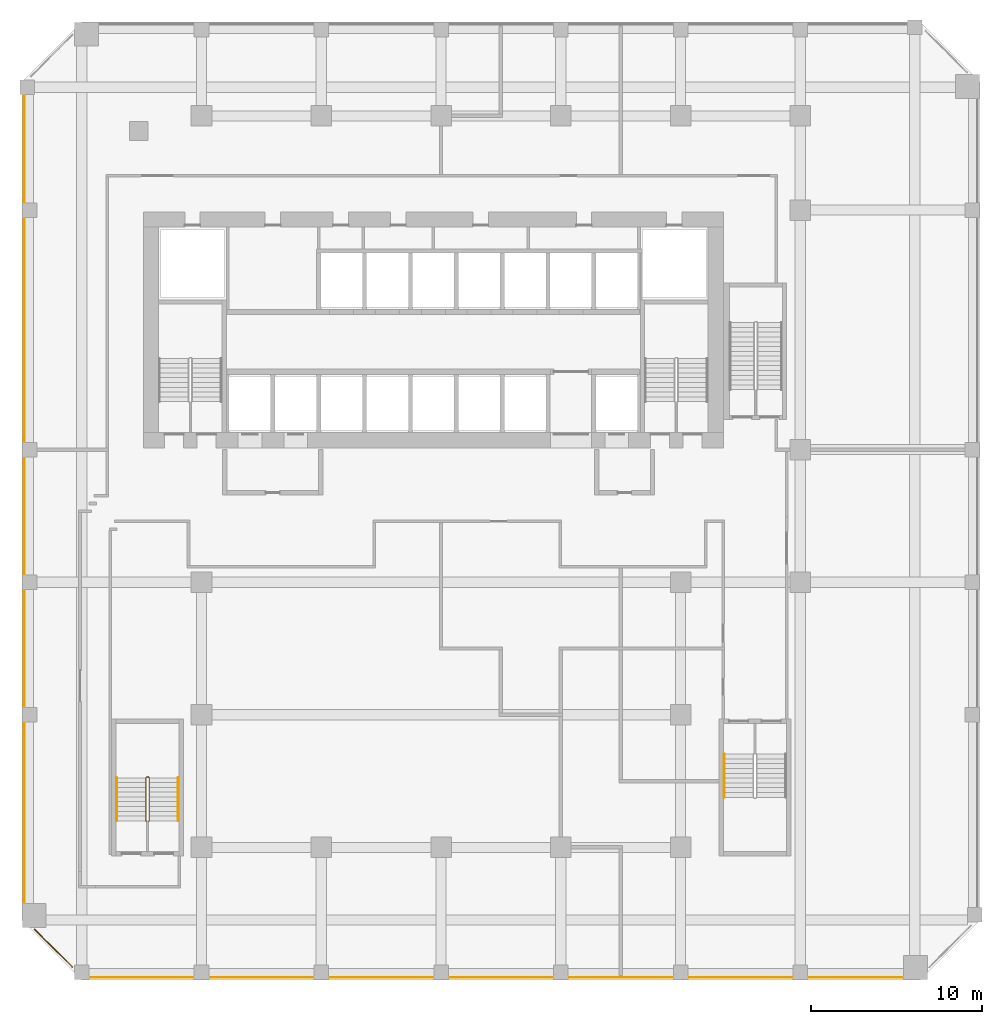
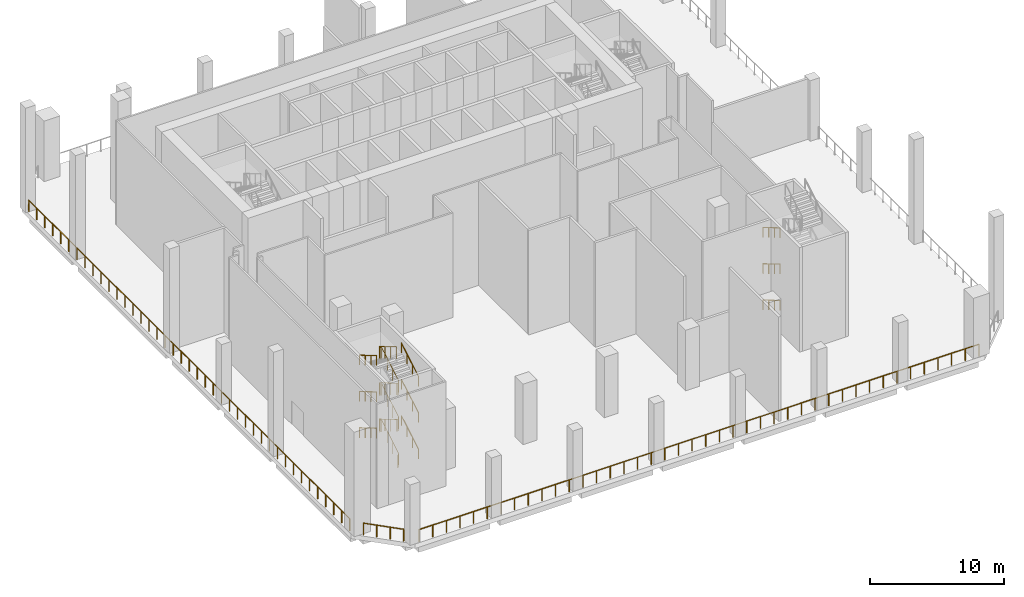
# One storey, part 9 of 12: 13 railings.
"""IFC4 building model written with IfcOpenShell, lengths in metres."""

from ifc_helpers import new_model, si_unit, direction, frame, origin, origin_2d, place, context, subcontext, project, spatial, circle, extrude, material, type_object, element, save


model = new_model("IFC4")

# Units and contexts
model_context = context("Model", 3, precision=1e-05, world=origin(), true_north=direction((0.0, 1.0)))
body_context = subcontext(model_context, "Body", "Model", "MODEL_VIEW")
ifc_project = project(units=[si_unit("LENGTHUNIT", "METRE"), si_unit("AREAUNIT", "SQUARE_METRE"), si_unit("VOLUMEUNIT", "CUBIC_METRE"), si_unit("PLANEANGLEUNIT", "RADIAN"), si_unit("MASSUNIT", "GRAM", prefix="KILO")], contexts=[model_context])

# Site, building, storey
site_placement = place(None, origin())
site = spatial("IfcSite", under=ifc_project, at=site_placement, CompositionType="ELEMENT")
building_placement = place(site_placement, origin())
building = spatial("IfcBuilding", under=site, at=building_placement, Name="Kilnfold Tower and Market Hall", CompositionType="ELEMENT")
storey_placement = place(building_placement, frame((0.0, 0.0, 128.60009765625)))
storey = spatial("IfcBuildingStorey", under=building, at=storey_placement, Name="L30 Refuge Wind Floor", CompositionType="ELEMENT", Elevation=128.60009765625)

# Railings
ifc_material_1 = material(Name="Stainless steel 316", Category="steel")
railing_type_1 = type_object("IfcRailingType", Name="CORE STAIR GUARD 1100", PredefinedType="GUARDRAIL", material=ifc_material_1)
railing_1_placement = place(storey_placement, frame((-15.699951171875, -13.75, 0.0)))
element("IfcRailing", 1, at=railing_1_placement, inside=storey, type_object=railing_type_1, Name="L30 Refuge Wind Floor ST3 stair guard 1", PredefinedType="GUARDRAIL", context=body_context, shape_type="SweptSolid", body=[
    extrude(circle(Radius=0.02392578125, at=origin_2d()), frame((0.0, 0.0, 1.076171875), z_axis=(1.0, 0.0, 0.0), x_axis=(0.0, 1.0, 0.0)), (0.0, 0.0, 1.0), 0.099853515625),
    extrude(circle(Radius=0.02392578125, at=origin_2d()), frame((0.099853515625, 0.0, 1.076171875), z_axis=(0.279053652268, 0.279053652268, 0.918835196492), x_axis=(-0.707106781187, 0.707106781187, 0.0)), (0.0, 0.0, 1.0), 0.179443359375),
    extrude(circle(Radius=0.02392578125, at=origin_2d()), frame((0.14990234375, 0.050048828125, 1.24072265625), z_axis=(0.0, 0.86152411907, 0.507716645641), x_axis=(-1.0, 0.0, 0.0)), (0.0, 0.0, 1.0), 2.925048828125),
    extrude(circle(Radius=0.02392578125, at=origin_2d()), frame((0.14990234375, 2.570068359375, 2.72607421875), z_axis=(-0.707106781187, 0.707106781187, 0.0), x_axis=(-0.707106781187, -0.707106781187, 0.0)), (0.0, 0.0, 1.0), 0.07080078125),
    extrude(circle(Radius=0.02392578125, at=origin_2d()), frame((0.099853515625, 2.6201171875, 2.72607421875), z_axis=(-1.0, 0.0, 0.0), x_axis=(0.0, -1.0, 0.0)), (0.0, 0.0, 1.0), 0.099853515625),
    extrude(circle(Radius=0.02392578125, at=origin_2d()), frame((0.0, 2.6201171875, 2.72607421875), z_axis=(-0.278705021027, -0.278705021027, 0.919046801044), x_axis=(0.707106781187, -0.707106781187, 0.0)), (0.0, 0.0, 1.0), 0.1796875),
    extrude(circle(Radius=0.02392578125, at=origin_2d()), frame((-0.050048828125, 2.570068359375, 2.89111328125), z_axis=(0.0, -0.861560626758, 0.507654692109), x_axis=(1.0, 0.0, 0.0)), (0.0, 0.0, 1.0), 2.925048828125),
    extrude(circle(Radius=0.02392578125, at=origin_2d()), frame((-0.050048828125, 0.050048828125, 4.3759765625), z_axis=(0.707106781187, -0.707106781187, 0.0), x_axis=(0.707106781187, 0.707106781187, 0.0)), (0.0, 0.0, 1.0), 0.07080078125),
    extrude(circle(Radius=0.02392578125, at=origin_2d()), frame((0.0, 0.0, 4.3759765625), z_axis=(1.0, 0.0, 0.0), x_axis=(0.0, 1.0, 0.0)), (0.0, 0.0, 1.0), 0.099853515625),
    extrude(circle(Radius=0.02392578125, at=origin_2d()), frame((0.099853515625, 0.0, 4.3759765625), z_axis=(0.278705021027, 0.278705021027, 0.919046801044), x_axis=(-0.707106781187, 0.707106781187, 0.0)), (0.0, 0.0, 1.0), 0.1796875),
    extrude(circle(Radius=0.02392578125, at=origin_2d()), frame((0.14990234375, 0.050048828125, 4.541015625), z_axis=(0.0, 0.86152411907, 0.507716645641), x_axis=(-1.0, 0.0, 0.0)), (0.0, 0.0, 1.0), 2.925048828125),
    extrude(circle(Radius=0.02392578125, at=origin_2d()), frame((0.14990234375, 2.570068359375, 6.02587890625), z_axis=(-0.707106781187, 0.707106781187, 0.0), x_axis=(-0.707106781187, -0.707106781187, 0.0)), (0.0, 0.0, 1.0), 0.07080078125),
    extrude(circle(Radius=0.02392578125, at=origin_2d()), frame((0.099853515625, 2.6201171875, 6.02587890625), z_axis=(-1.0, 0.0, 0.0), x_axis=(0.0, -1.0, 0.0)), (0.0, 0.0, 1.0), 0.099853515625),
    extrude(circle(Radius=0.02392578125, at=origin_2d()), frame((0.0, 2.6201171875, 6.02587890625), z_axis=(-0.278705021027, -0.278705021027, 0.919046801044), x_axis=(0.707106781187, -0.707106781187, 0.0)), (0.0, 0.0, 1.0), 0.1796875),
    extrude(circle(Radius=0.02392578125, at=origin_2d()), frame((-0.050048828125, 2.570068359375, 6.19091796875), z_axis=(0.0, -0.861560626758, 0.507654692109), x_axis=(1.0, 0.0, 0.0)), (0.0, 0.0, 1.0), 2.925048828125),
    extrude(circle(Radius=0.02392578125, at=origin_2d()), frame((-0.050048828125, 0.050048828125, 7.67578125), z_axis=(0.707106781187, -0.707106781187, 0.0), x_axis=(0.707106781187, 0.707106781187, 0.0)), (0.0, 0.0, 1.0), 0.07080078125),
    extrude(circle(Radius=0.02392578125, at=origin_2d()), frame((0.0, 0.0, 7.67578125), z_axis=(1.0, 0.0, 0.0), x_axis=(0.0, 1.0, 0.0)), (0.0, 0.0, 1.0), 0.099853515625),
    extrude(circle(Radius=0.02392578125, at=origin_2d()), frame((0.099853515625, 0.0, 7.67578125), z_axis=(0.278705021027, 0.278705021027, 0.919046801044), x_axis=(-0.707106781187, 0.707106781187, 0.0)), (0.0, 0.0, 1.0), 0.1796875),
    extrude(circle(Radius=0.02392578125, at=origin_2d()), frame((0.14990234375, 0.050048828125, 7.8408203125), z_axis=(0.0, 0.86152411907, 0.507716645641), x_axis=(-1.0, 0.0, 0.0)), (0.0, 0.0, 1.0), 2.925048828125),
    extrude(circle(Radius=0.02392578125, at=origin_2d()), frame((0.14990234375, 2.570068359375, 9.326171875), z_axis=(-0.707106781187, 0.707106781187, 0.0), x_axis=(-0.707106781187, -0.707106781187, 0.0)), (0.0, 0.0, 1.0), 0.07080078125),
    extrude(circle(Radius=0.02392578125, at=origin_2d()), frame((0.099853515625, 2.6201171875, 9.326171875), z_axis=(-1.0, 0.0, 0.0), x_axis=(0.0, -1.0, 0.0)), (0.0, 0.0, 1.0), 0.099853515625),
    extrude(circle(Radius=0.02392578125, at=origin_2d()), frame((0.0, 2.6201171875, 9.326171875), z_axis=(-0.279053652268, -0.279053652268, 0.918835196492), x_axis=(0.707106781187, -0.707106781187, 0.0)), (0.0, 0.0, 1.0), 0.179443359375),
    extrude(circle(Radius=0.02392578125, at=origin_2d()), frame((-0.050048828125, 2.570068359375, 9.49072265625), z_axis=(0.0, -0.86152411907, 0.507716645641), x_axis=(1.0, 0.0, 0.0)), (0.0, 0.0, 1.0), 2.925048828125),
    extrude(circle(Radius=0.02099609375, at=origin_2d()), origin(), (0.0, 0.0, 1.0), 1.052001953125),
    extrude(circle(Radius=0.02099609375, at=origin_2d()), frame((0.099853515625, 0.0, 0.0)), (0.0, 0.0, 1.0), 1.052001953125),
    extrude(circle(Radius=0.02099609375, at=origin_2d()), frame((0.14990234375, 0.050048828125, 0.164794921875)), (0.0, 0.0, 1.0), 1.052001953125),
    extrude(circle(Radius=0.02099609375, at=origin_2d()), frame((0.14990234375, 0.89013671875, 0.659912109375)), (0.0, 0.0, 1.0), 1.052001953125),
    extrude(circle(Radius=0.02099609375, at=origin_2d()), frame((0.14990234375, 1.72998046875, 1.15478515625)), (0.0, 0.0, 1.0), 1.052001953125),
    extrude(circle(Radius=0.02099609375, at=origin_2d()), frame((0.14990234375, 2.570068359375, 1.64990234375)), (0.0, 0.0, 1.0), 1.052001953125),
    extrude(circle(Radius=0.02099609375, at=origin_2d()), frame((0.099853515625, 2.6201171875, 1.64990234375)), (0.0, 0.0, 1.0), 1.052001953125),
    extrude(circle(Radius=0.02099609375, at=origin_2d()), frame((0.0, 2.6201171875, 1.64990234375)), (0.0, 0.0, 1.0), 1.052001953125),
    extrude(circle(Radius=0.02099609375, at=origin_2d()), frame((-0.050048828125, 2.570068359375, 1.81494140625)), (0.0, 0.0, 1.0), 1.052001953125),
    extrude(circle(Radius=0.02099609375, at=origin_2d()), frame((-0.050048828125, 1.72998046875, 2.309814453125)), (0.0, 0.0, 1.0), 1.052001953125),
    extrude(circle(Radius=0.02099609375, at=origin_2d()), frame((-0.050048828125, 0.89013671875, 2.804931640625)), (0.0, 0.0, 1.0), 1.052001953125),
    extrude(circle(Radius=0.02099609375, at=origin_2d()), frame((-0.050048828125, 0.050048828125, 3.2998046875)), (0.0, 0.0, 1.0), 1.052001953125),
    extrude(circle(Radius=0.02099609375, at=origin_2d()), frame((0.0, 0.0, 3.2998046875)), (0.0, 0.0, 1.0), 1.052001953125),
    extrude(circle(Radius=0.02099609375, at=origin_2d()), frame((0.099853515625, 0.0, 3.2998046875)), (0.0, 0.0, 1.0), 1.052001953125),
    extrude(circle(Radius=0.02099609375, at=origin_2d()), frame((0.14990234375, 0.050048828125, 3.46484375)), (0.0, 0.0, 1.0), 1.052001953125),
    extrude(circle(Radius=0.02099609375, at=origin_2d()), frame((0.14990234375, 0.89013671875, 3.9599609375)), (0.0, 0.0, 1.0), 1.052001953125),
    extrude(circle(Radius=0.02099609375, at=origin_2d()), frame((0.14990234375, 1.72998046875, 4.454833984375)), (0.0, 0.0, 1.0), 1.052001953125),
    extrude(circle(Radius=0.02099609375, at=origin_2d()), frame((0.14990234375, 2.570068359375, 4.949951171875)), (0.0, 0.0, 1.0), 1.052001953125),
    extrude(circle(Radius=0.02099609375, at=origin_2d()), frame((0.099853515625, 2.6201171875, 4.949951171875)), (0.0, 0.0, 1.0), 1.052001953125),
    extrude(circle(Radius=0.02099609375, at=origin_2d()), frame((0.0, 2.6201171875, 4.949951171875)), (0.0, 0.0, 1.0), 1.052001953125),
    extrude(circle(Radius=0.02099609375, at=origin_2d()), frame((-0.050048828125, 2.570068359375, 5.114990234375)), (0.0, 0.0, 1.0), 1.052001953125),
    extrude(circle(Radius=0.02099609375, at=origin_2d()), frame((-0.050048828125, 1.72998046875, 5.60986328125)), (0.0, 0.0, 1.0), 1.052001953125),
    extrude(circle(Radius=0.02099609375, at=origin_2d()), frame((-0.050048828125, 0.89013671875, 6.10498046875)), (0.0, 0.0, 1.0), 1.052001953125),
    extrude(circle(Radius=0.02099609375, at=origin_2d()), frame((-0.050048828125, 0.050048828125, 6.599853515625)), (0.0, 0.0, 1.0), 1.052001953125),
    extrude(circle(Radius=0.02099609375, at=origin_2d()), frame((0.0, 0.0, 6.599853515625)), (0.0, 0.0, 1.0), 1.052001953125),
    extrude(circle(Radius=0.02099609375, at=origin_2d()), frame((0.099853515625, 0.0, 6.599853515625)), (0.0, 0.0, 1.0), 1.052001953125),
    extrude(circle(Radius=0.02099609375, at=origin_2d()), frame((0.14990234375, 0.050048828125, 6.764892578125)), (0.0, 0.0, 1.0), 1.052001953125),
    extrude(circle(Radius=0.02099609375, at=origin_2d()), frame((0.14990234375, 0.89013671875, 7.260009765625)), (0.0, 0.0, 1.0), 1.052001953125),
    extrude(circle(Radius=0.02099609375, at=origin_2d()), frame((0.14990234375, 1.72998046875, 7.7548828125)), (0.0, 0.0, 1.0), 1.052001953125),
    extrude(circle(Radius=0.02099609375, at=origin_2d()), frame((0.14990234375, 2.570068359375, 8.25)), (0.0, 0.0, 1.0), 1.052001953125),
    extrude(circle(Radius=0.02099609375, at=origin_2d()), frame((0.099853515625, 2.6201171875, 8.25)), (0.0, 0.0, 1.0), 1.052001953125),
    extrude(circle(Radius=0.02099609375, at=origin_2d()), frame((0.0, 2.6201171875, 8.25)), (0.0, 0.0, 1.0), 1.052001953125),
    extrude(circle(Radius=0.02099609375, at=origin_2d()), frame((-0.050048828125, 2.570068359375, 8.414794921875)), (0.0, 0.0, 1.0), 1.052001953125),
    extrude(circle(Radius=0.02099609375, at=origin_2d()), frame((-0.050048828125, 1.72998046875, 8.909912109375)), (0.0, 0.0, 1.0), 1.052001953125),
    extrude(circle(Radius=0.02099609375, at=origin_2d()), frame((-0.050048828125, 0.89013671875, 9.40478515625)), (0.0, 0.0, 1.0), 1.052001953125),
    extrude(circle(Radius=0.02099609375, at=origin_2d()), frame((-0.050048828125, 0.050048828125, 9.89990234375)), (0.0, 0.0, 1.0), 1.052001953125),
])
ifc_material_2 = material(Name="Stainless steel 316", Category="steel")
railing_type_2 = type_object("IfcRailingType", Name="CORE STAIR HANDRAIL 900", PredefinedType="HANDRAIL", material=ifc_material_2)
railing_2_placement = place(storey_placement, frame((-13.85009765625, -13.699951171875, 0.164794921875)))
element("IfcRailing", 2, at=railing_2_placement, inside=storey, type_object=railing_type_2, Name="L30 Refuge Wind Floor ST3 stair handrail 1", PredefinedType="HANDRAIL", context=body_context, shape_type="SweptSolid", body=[
    extrude(circle(Radius=0.02392578125, at=origin_2d()), frame((0.0, 0.0, 0.8759765625), z_axis=(0.0, 0.86152411907, 0.507716645641), x_axis=(-1.0, 0.0, 0.0)), (0.0, 0.0, 1.0), 2.925048828125),
    extrude(circle(Radius=0.02099609375, at=origin_2d()), origin(), (0.0, 0.0, 1.0), 0.851806640625),
    extrude(circle(Radius=0.02099609375, at=origin_2d()), frame((0.0, 0.840087890625, 0.4951171875)), (0.0, 0.0, 1.0), 0.851806640625),
    extrude(circle(Radius=0.02099609375, at=origin_2d()), frame((0.0, 1.679931640625, 0.989990234375)), (0.0, 0.0, 1.0), 0.851806640625),
    extrude(circle(Radius=0.02099609375, at=origin_2d()), frame((0.0, 2.52001953125, 1.485107421875)), (0.0, 0.0, 1.0), 0.851806640625),
])
railing_3_placement = place(storey_placement, frame((-17.449951171875, -11.179931640625, 1.81494140625)))
element("IfcRailing", 3, at=railing_3_placement, inside=storey, type_object=railing_type_2, Name="L30 Refuge Wind Floor ST3 stair handrail 2", PredefinedType="HANDRAIL", context=body_context, shape_type="SweptSolid", body=[
    extrude(circle(Radius=0.02392578125, at=origin_2d()), frame((0.0, 0.0, 0.8759765625), z_axis=(0.0, -0.861560626758, 0.507654692109), x_axis=(1.0, 0.0, 0.0)), (0.0, 0.0, 1.0), 2.925048828125),
    extrude(circle(Radius=0.02099609375, at=origin_2d()), origin(), (0.0, 0.0, 1.0), 0.851806640625),
    extrude(circle(Radius=0.02099609375, at=origin_2d()), frame((0.0, -0.840087890625, 0.494873046875)), (0.0, 0.0, 1.0), 0.851806640625),
    extrude(circle(Radius=0.02099609375, at=origin_2d()), frame((0.0, -1.679931640625, 0.989990234375)), (0.0, 0.0, 1.0), 0.851806640625),
    extrude(circle(Radius=0.02099609375, at=origin_2d()), frame((0.0, -2.52001953125, 1.48486328125)), (0.0, 0.0, 1.0), 0.851806640625),
])
railing_4_placement = place(storey_placement, frame((-13.85009765625, -13.699951171875, 3.46484375)))
element("IfcRailing", 4, at=railing_4_placement, inside=storey, type_object=railing_type_2, Name="L30 Refuge Wind Floor ST3 stair handrail 3", PredefinedType="HANDRAIL", context=body_context, shape_type="SweptSolid", body=[
    extrude(circle(Radius=0.02392578125, at=origin_2d()), frame((0.0, 0.0, 0.8759765625), z_axis=(0.0, 0.86152411907, 0.507716645641), x_axis=(-1.0, 0.0, 0.0)), (0.0, 0.0, 1.0), 2.925048828125),
    extrude(circle(Radius=0.02099609375, at=origin_2d()), origin(), (0.0, 0.0, 1.0), 0.851806640625),
    extrude(circle(Radius=0.02099609375, at=origin_2d()), frame((0.0, 0.840087890625, 0.4951171875)), (0.0, 0.0, 1.0), 0.851806640625),
    extrude(circle(Radius=0.02099609375, at=origin_2d()), frame((0.0, 1.679931640625, 0.989990234375)), (0.0, 0.0, 1.0), 0.851806640625),
    extrude(circle(Radius=0.02099609375, at=origin_2d()), frame((0.0, 2.52001953125, 1.485107421875)), (0.0, 0.0, 1.0), 0.851806640625),
])
railing_5_placement = place(storey_placement, frame((-17.449951171875, -11.179931640625, 5.114990234375)))
element("IfcRailing", 5, at=railing_5_placement, inside=storey, type_object=railing_type_2, Name="L30 Refuge Wind Floor ST3 stair handrail 4", PredefinedType="HANDRAIL", context=body_context, shape_type="SweptSolid", body=[
    extrude(circle(Radius=0.02392578125, at=origin_2d()), frame((0.0, 0.0, 0.8759765625), z_axis=(0.0, -0.861560626758, 0.507654692109), x_axis=(1.0, 0.0, 0.0)), (0.0, 0.0, 1.0), 2.925048828125),
    extrude(circle(Radius=0.02099609375, at=origin_2d()), origin(), (0.0, 0.0, 1.0), 0.851806640625),
    extrude(circle(Radius=0.02099609375, at=origin_2d()), frame((0.0, -0.840087890625, 0.494873046875)), (0.0, 0.0, 1.0), 0.851806640625),
    extrude(circle(Radius=0.02099609375, at=origin_2d()), frame((0.0, -1.679931640625, 0.989990234375)), (0.0, 0.0, 1.0), 0.851806640625),
    extrude(circle(Radius=0.02099609375, at=origin_2d()), frame((0.0, -2.52001953125, 1.48486328125)), (0.0, 0.0, 1.0), 0.851806640625),
])
railing_6_placement = place(storey_placement, frame((-13.85009765625, -13.699951171875, 6.764892578125)))
element("IfcRailing", 6, at=railing_6_placement, inside=storey, type_object=railing_type_2, Name="L30 Refuge Wind Floor ST3 stair handrail 5", PredefinedType="HANDRAIL", context=body_context, shape_type="SweptSolid", body=[
    extrude(circle(Radius=0.02392578125, at=origin_2d()), frame((0.0, 0.0, 0.8759765625), z_axis=(0.0, 0.86152411907, 0.507716645641), x_axis=(-1.0, 0.0, 0.0)), (0.0, 0.0, 1.0), 2.925048828125),
    extrude(circle(Radius=0.02099609375, at=origin_2d()), origin(), (0.0, 0.0, 1.0), 0.851806640625),
    extrude(circle(Radius=0.02099609375, at=origin_2d()), frame((0.0, 0.840087890625, 0.4951171875)), (0.0, 0.0, 1.0), 0.851806640625),
    extrude(circle(Radius=0.02099609375, at=origin_2d()), frame((0.0, 1.679931640625, 0.989990234375)), (0.0, 0.0, 1.0), 0.851806640625),
    extrude(circle(Radius=0.02099609375, at=origin_2d()), frame((0.0, 2.52001953125, 1.485107421875)), (0.0, 0.0, 1.0), 0.851806640625),
])
for number, where, name in (
    (7, (-17.449951171875, -11.179931640625, 8.414794921875), "L30 Refuge Wind Floor ST3 stair handrail 6"),
    (8, (18.050048828125, -9.800048828125, 0.164794921875), "L30 Refuge Wind Floor ST4 stair handrail 1"),
    (9, (18.050048828125, -9.800048828125, 3.46484375), "L30 Refuge Wind Floor ST4 stair handrail 3"),
    (10, (18.050048828125, -9.800048828125, 6.764892578125), "L30 Refuge Wind Floor ST4 stair handrail 5"),
):
    element("IfcRailing", number, at=place(storey_placement, frame(where)), inside=storey, type_object=railing_type_2, Name=name, PredefinedType="HANDRAIL", context=body_context, shape_type="SweptSolid", body=[
        extrude(circle(Radius=0.02392578125, at=origin_2d()), frame((0.0, 0.0, 0.8759765625), z_axis=(0.0, -0.86152411907, 0.507716645641), x_axis=(1.0, 0.0, 0.0)), (0.0, 0.0, 1.0), 2.925048828125),
        extrude(circle(Radius=0.02099609375, at=origin_2d()), origin(), (0.0, 0.0, 1.0), 0.851806640625),
        extrude(circle(Radius=0.02099609375, at=origin_2d()), frame((0.0, -0.840087890625, 0.4951171875)), (0.0, 0.0, 1.0), 0.851806640625),
        extrude(circle(Radius=0.02099609375, at=origin_2d()), frame((0.0, -1.679931640625, 0.989990234375)), (0.0, 0.0, 1.0), 0.851806640625),
        extrude(circle(Radius=0.02099609375, at=origin_2d()), frame((0.0, -2.52001953125, 1.485107421875)), (0.0, 0.0, 1.0), 0.851806640625),
    ])
ifc_material_3 = material(Name="Stainless steel and laminated glass", Category="steel")
railing_type_3 = type_object("IfcRailingType", Name="GUARD 1100", PredefinedType="GUARDRAIL", material=ifc_material_3)
railing_7_placement = place(storey_placement, frame((-19.074951171875, -22.85009765625, 0.0)))
element("IfcRailing", 11, at=railing_7_placement, inside=storey, type_object=railing_type_3, Name="Guard edge S L30", PredefinedType="GUARDRAIL", context=body_context, shape_type="SweptSolid", body=[
    extrude(circle(Radius=0.02490234375, at=origin_2d()), frame((0.0, 0.0, 1.0751953125), z_axis=(1.0, 0.0, 0.0), x_axis=(0.0, 1.0, 0.0)), (0.0, 0.0, 1.0), 48.14990234375),
    extrude(circle(Radius=0.02490234375, at=origin_2d()), origin(), (0.0, 0.0, 1.0), 1.050048828125),
    extrude(circle(Radius=0.02490234375, at=origin_2d()), frame((1.17431640625, 0.0, 0.0)), (0.0, 0.0, 1.0), 1.050048828125),
    extrude(circle(Radius=0.02490234375, at=origin_2d()), frame((2.348876953125, 0.0, 0.0)), (0.0, 0.0, 1.0), 1.050048828125),
    extrude(circle(Radius=0.02490234375, at=origin_2d()), frame((3.523193359375, 0.0, 0.0)), (0.0, 0.0, 1.0), 1.050048828125),
    extrude(circle(Radius=0.02490234375, at=origin_2d()), frame((4.697509765625, 0.0, 0.0)), (0.0, 0.0, 1.0), 1.050048828125),
    extrude(circle(Radius=0.02490234375, at=origin_2d()), frame((5.871826171875, 0.0, 0.0)), (0.0, 0.0, 1.0), 1.050048828125),
    extrude(circle(Radius=0.02490234375, at=origin_2d()), frame((7.04638671875, 0.0, 0.0)), (0.0, 0.0, 1.0), 1.050048828125),
    extrude(circle(Radius=0.02490234375, at=origin_2d()), frame((8.220703125, 0.0, 0.0)), (0.0, 0.0, 1.0), 1.050048828125),
    extrude(circle(Radius=0.02490234375, at=origin_2d()), frame((9.39501953125, 0.0, 0.0)), (0.0, 0.0, 1.0), 1.050048828125),
    extrude(circle(Radius=0.02490234375, at=origin_2d()), frame((10.569580078125, 0.0, 0.0)), (0.0, 0.0, 1.0), 1.050048828125),
    extrude(circle(Radius=0.02490234375, at=origin_2d()), frame((11.743896484375, 0.0, 0.0)), (0.0, 0.0, 1.0), 1.050048828125),
    extrude(circle(Radius=0.02490234375, at=origin_2d()), frame((12.918212890625, 0.0, 0.0)), (0.0, 0.0, 1.0), 1.050048828125),
    extrude(circle(Radius=0.02490234375, at=origin_2d()), frame((14.0927734375, 0.0, 0.0)), (0.0, 0.0, 1.0), 1.050048828125),
    extrude(circle(Radius=0.02490234375, at=origin_2d()), frame((15.26708984375, 0.0, 0.0)), (0.0, 0.0, 1.0), 1.050048828125),
    extrude(circle(Radius=0.02490234375, at=origin_2d()), frame((16.44140625, 0.0, 0.0)), (0.0, 0.0, 1.0), 1.050048828125),
    extrude(circle(Radius=0.02490234375, at=origin_2d()), frame((17.61572265625, 0.0, 0.0)), (0.0, 0.0, 1.0), 1.050048828125),
    extrude(circle(Radius=0.02490234375, at=origin_2d()), frame((18.790283203125, 0.0, 0.0)), (0.0, 0.0, 1.0), 1.050048828125),
    extrude(circle(Radius=0.02490234375, at=origin_2d()), frame((19.964599609375, 0.0, 0.0)), (0.0, 0.0, 1.0), 1.050048828125),
    extrude(circle(Radius=0.02490234375, at=origin_2d()), frame((21.138916015625, 0.0, 0.0)), (0.0, 0.0, 1.0), 1.050048828125),
    extrude(circle(Radius=0.02490234375, at=origin_2d()), frame((22.3134765625, 0.0, 0.0)), (0.0, 0.0, 1.0), 1.050048828125),
    extrude(circle(Radius=0.02490234375, at=origin_2d()), frame((23.48779296875, 0.0, 0.0)), (0.0, 0.0, 1.0), 1.050048828125),
    extrude(circle(Radius=0.02490234375, at=origin_2d()), frame((24.662109375, 0.0, 0.0)), (0.0, 0.0, 1.0), 1.050048828125),
    extrude(circle(Radius=0.02490234375, at=origin_2d()), frame((25.83642578125, 0.0, 0.0)), (0.0, 0.0, 1.0), 1.050048828125),
    extrude(circle(Radius=0.02490234375, at=origin_2d()), frame((27.010986328125, 0.0, 0.0)), (0.0, 0.0, 1.0), 1.050048828125),
    extrude(circle(Radius=0.02490234375, at=origin_2d()), frame((28.185302734375, 0.0, 0.0)), (0.0, 0.0, 1.0), 1.050048828125),
    extrude(circle(Radius=0.02490234375, at=origin_2d()), frame((29.359619140625, 0.0, 0.0)), (0.0, 0.0, 1.0), 1.050048828125),
    extrude(circle(Radius=0.02490234375, at=origin_2d()), frame((30.5341796875, 0.0, 0.0)), (0.0, 0.0, 1.0), 1.050048828125),
    extrude(circle(Radius=0.02490234375, at=origin_2d()), frame((31.70849609375, 0.0, 0.0)), (0.0, 0.0, 1.0), 1.050048828125),
    extrude(circle(Radius=0.02490234375, at=origin_2d()), frame((32.8828125, 0.0, 0.0)), (0.0, 0.0, 1.0), 1.050048828125),
    extrude(circle(Radius=0.02490234375, at=origin_2d()), frame((34.05712890625, 0.0, 0.0)), (0.0, 0.0, 1.0), 1.050048828125),
    extrude(circle(Radius=0.02490234375, at=origin_2d()), frame((35.231689453125, 0.0, 0.0)), (0.0, 0.0, 1.0), 1.050048828125),
    extrude(circle(Radius=0.02490234375, at=origin_2d()), frame((36.406005859375, 0.0, 0.0)), (0.0, 0.0, 1.0), 1.050048828125),
    extrude(circle(Radius=0.02490234375, at=origin_2d()), frame((37.580322265625, 0.0, 0.0)), (0.0, 0.0, 1.0), 1.050048828125),
    extrude(circle(Radius=0.02490234375, at=origin_2d()), frame((38.7548828125, 0.0, 0.0)), (0.0, 0.0, 1.0), 1.050048828125),
    extrude(circle(Radius=0.02490234375, at=origin_2d()), frame((39.92919921875, 0.0, 0.0)), (0.0, 0.0, 1.0), 1.050048828125),
    extrude(circle(Radius=0.02490234375, at=origin_2d()), frame((41.103515625, 0.0, 0.0)), (0.0, 0.0, 1.0), 1.050048828125),
    extrude(circle(Radius=0.02490234375, at=origin_2d()), frame((42.278076171875, 0.0, 0.0)), (0.0, 0.0, 1.0), 1.050048828125),
    extrude(circle(Radius=0.02490234375, at=origin_2d()), frame((43.452392578125, 0.0, 0.0)), (0.0, 0.0, 1.0), 1.050048828125),
    extrude(circle(Radius=0.02490234375, at=origin_2d()), frame((44.626708984375, 0.0, 0.0)), (0.0, 0.0, 1.0), 1.050048828125),
    extrude(circle(Radius=0.02490234375, at=origin_2d()), frame((45.801025390625, 0.0, 0.0)), (0.0, 0.0, 1.0), 1.050048828125),
    extrude(circle(Radius=0.02490234375, at=origin_2d()), frame((46.9755859375, 0.0, 0.0)), (0.0, 0.0, 1.0), 1.050048828125),
    extrude(circle(Radius=0.02490234375, at=origin_2d()), frame((48.14990234375, 0.0, 0.0)), (0.0, 0.0, 1.0), 1.050048828125),
])
railing_8_placement = place(storey_placement, frame((-22.85009765625, 28.7568359375, 0.0)))
element("IfcRailing", 12, at=railing_8_placement, inside=storey, type_object=railing_type_3, Name="Guard edge W L30", PredefinedType="GUARDRAIL", context=body_context, shape_type="SweptSolid", body=[
    extrude(circle(Radius=0.02490234375, at=origin_2d()), frame((0.0, 0.0, 1.0751953125), z_axis=(0.0, -1.0, 0.0), x_axis=(1.0, 0.0, 0.0)), (0.0, 0.0, 1.0), 47.831787109375),
    extrude(circle(Radius=0.02490234375, at=origin_2d()), origin(), (0.0, 0.0, 1.0), 1.050048828125),
    extrude(circle(Radius=0.02490234375, at=origin_2d()), frame((0.0, -1.19580078125, 0.0)), (0.0, 0.0, 1.0), 1.050048828125),
    extrude(circle(Radius=0.02490234375, at=origin_2d()), frame((0.0, -2.3916015625, 0.0)), (0.0, 0.0, 1.0), 1.050048828125),
    extrude(circle(Radius=0.02490234375, at=origin_2d()), frame((0.0, -3.58740234375, 0.0)), (0.0, 0.0, 1.0), 1.050048828125),
    extrude(circle(Radius=0.02490234375, at=origin_2d()), frame((0.0, -4.783203125, 0.0)), (0.0, 0.0, 1.0), 1.050048828125),
    extrude(circle(Radius=0.02490234375, at=origin_2d()), frame((0.0, -5.97900390625, 0.0)), (0.0, 0.0, 1.0), 1.050048828125),
    extrude(circle(Radius=0.02490234375, at=origin_2d()), frame((0.0, -7.1748046875, 0.0)), (0.0, 0.0, 1.0), 1.050048828125),
    extrude(circle(Radius=0.02490234375, at=origin_2d()), frame((0.0, -8.37060546875, 0.0)), (0.0, 0.0, 1.0), 1.050048828125),
    extrude(circle(Radius=0.02490234375, at=origin_2d()), frame((0.0, -9.56640625, 0.0)), (0.0, 0.0, 1.0), 1.050048828125),
    extrude(circle(Radius=0.02490234375, at=origin_2d()), frame((0.0, -10.76220703125, 0.0)), (0.0, 0.0, 1.0), 1.050048828125),
    extrude(circle(Radius=0.02490234375, at=origin_2d()), frame((0.0, -11.9580078125, 0.0)), (0.0, 0.0, 1.0), 1.050048828125),
    extrude(circle(Radius=0.02490234375, at=origin_2d()), frame((0.0, -13.15380859375, 0.0)), (0.0, 0.0, 1.0), 1.050048828125),
    extrude(circle(Radius=0.02490234375, at=origin_2d()), frame((0.0, -14.349609375, 0.0)), (0.0, 0.0, 1.0), 1.050048828125),
    extrude(circle(Radius=0.02490234375, at=origin_2d()), frame((0.0, -15.54541015625, 0.0)), (0.0, 0.0, 1.0), 1.050048828125),
    extrude(circle(Radius=0.02490234375, at=origin_2d()), frame((0.0, -16.7412109375, 0.0)), (0.0, 0.0, 1.0), 1.050048828125),
    extrude(circle(Radius=0.02490234375, at=origin_2d()), frame((0.0, -17.93701171875, 0.0)), (0.0, 0.0, 1.0), 1.050048828125),
    extrude(circle(Radius=0.02490234375, at=origin_2d()), frame((0.0, -19.1328125, 0.0)), (0.0, 0.0, 1.0), 1.050048828125),
    extrude(circle(Radius=0.02490234375, at=origin_2d()), frame((0.0, -20.32861328125, 0.0)), (0.0, 0.0, 1.0), 1.050048828125),
    extrude(circle(Radius=0.02490234375, at=origin_2d()), frame((0.0, -21.5244140625, 0.0)), (0.0, 0.0, 1.0), 1.050048828125),
    extrude(circle(Radius=0.02490234375, at=origin_2d()), frame((0.0, -22.72021484375, 0.0)), (0.0, 0.0, 1.0), 1.050048828125),
    extrude(circle(Radius=0.02490234375, at=origin_2d()), frame((0.0, -23.916015625, 0.0)), (0.0, 0.0, 1.0), 1.050048828125),
    extrude(circle(Radius=0.02490234375, at=origin_2d()), frame((0.0, -25.111572265625, 0.0)), (0.0, 0.0, 1.0), 1.050048828125),
    extrude(circle(Radius=0.02490234375, at=origin_2d()), frame((0.0, -26.307373046875, 0.0)), (0.0, 0.0, 1.0), 1.050048828125),
    extrude(circle(Radius=0.02490234375, at=origin_2d()), frame((0.0, -27.503173828125, 0.0)), (0.0, 0.0, 1.0), 1.050048828125),
    extrude(circle(Radius=0.02490234375, at=origin_2d()), frame((0.0, -28.698974609375, 0.0)), (0.0, 0.0, 1.0), 1.050048828125),
    extrude(circle(Radius=0.02490234375, at=origin_2d()), frame((0.0, -29.894775390625, 0.0)), (0.0, 0.0, 1.0), 1.050048828125),
    extrude(circle(Radius=0.02490234375, at=origin_2d()), frame((0.0, -31.090576171875, 0.0)), (0.0, 0.0, 1.0), 1.050048828125),
    extrude(circle(Radius=0.02490234375, at=origin_2d()), frame((0.0, -32.286376953125, 0.0)), (0.0, 0.0, 1.0), 1.050048828125),
    extrude(circle(Radius=0.02490234375, at=origin_2d()), frame((0.0, -33.482177734375, 0.0)), (0.0, 0.0, 1.0), 1.050048828125),
    extrude(circle(Radius=0.02490234375, at=origin_2d()), frame((0.0, -34.677978515625, 0.0)), (0.0, 0.0, 1.0), 1.050048828125),
    extrude(circle(Radius=0.02490234375, at=origin_2d()), frame((0.0, -35.873779296875, 0.0)), (0.0, 0.0, 1.0), 1.050048828125),
    extrude(circle(Radius=0.02490234375, at=origin_2d()), frame((0.0, -37.069580078125, 0.0)), (0.0, 0.0, 1.0), 1.050048828125),
    extrude(circle(Radius=0.02490234375, at=origin_2d()), frame((0.0, -38.265380859375, 0.0)), (0.0, 0.0, 1.0), 1.050048828125),
    extrude(circle(Radius=0.02490234375, at=origin_2d()), frame((0.0, -39.461181640625, 0.0)), (0.0, 0.0, 1.0), 1.050048828125),
    extrude(circle(Radius=0.02490234375, at=origin_2d()), frame((0.0, -40.656982421875, 0.0)), (0.0, 0.0, 1.0), 1.050048828125),
    extrude(circle(Radius=0.02490234375, at=origin_2d()), frame((0.0, -41.852783203125, 0.0)), (0.0, 0.0, 1.0), 1.050048828125),
    extrude(circle(Radius=0.02490234375, at=origin_2d()), frame((0.0, -43.048583984375, 0.0)), (0.0, 0.0, 1.0), 1.050048828125),
    extrude(circle(Radius=0.02490234375, at=origin_2d()), frame((0.0, -44.244384765625, 0.0)), (0.0, 0.0, 1.0), 1.050048828125),
    extrude(circle(Radius=0.02490234375, at=origin_2d()), frame((0.0, -45.440185546875, 0.0)), (0.0, 0.0, 1.0), 1.050048828125),
    extrude(circle(Radius=0.02490234375, at=origin_2d()), frame((0.0, -46.635986328125, 0.0)), (0.0, 0.0, 1.0), 1.050048828125),
    extrude(circle(Radius=0.02490234375, at=origin_2d()), frame((0.0, -47.831787109375, 0.0)), (0.0, 0.0, 1.0), 1.050048828125),
])
railing_9_placement = place(storey_placement, frame((-22.243896484375, -20.0439453125, 0.0)))
element("IfcRailing", 13, at=railing_9_placement, inside=storey, type_object=railing_type_3, Name="Guard edge SW L30", PredefinedType="GUARDRAIL", context=body_context, shape_type="SweptSolid", body=[
    extrude(circle(Radius=0.02490234375, at=origin_2d()), frame((0.0, 0.0, 1.0751953125), z_axis=(0.707106781187, -0.707106781187, 0.0), x_axis=(0.707106781187, 0.707106781187, 0.0)), (0.0, 0.0, 1.0), 3.111083984375),
    extrude(circle(Radius=0.02490234375, at=origin_2d()), origin(), (0.0, 0.0, 1.0), 1.050048828125),
    extrude(circle(Radius=0.02490234375, at=origin_2d()), frame((0.7333984375, -0.7333984375, 0.0)), (0.0, 0.0, 1.0), 1.050048828125),
    extrude(circle(Radius=0.02490234375, at=origin_2d()), frame((1.466552734375, -1.466552734375, 0.0)), (0.0, 0.0, 1.0), 1.050048828125),
    extrude(circle(Radius=0.02490234375, at=origin_2d()), frame((2.199951171875, -2.199951171875, 0.0)), (0.0, 0.0, 1.0), 1.050048828125),
])

save(model, "model.ifc")
